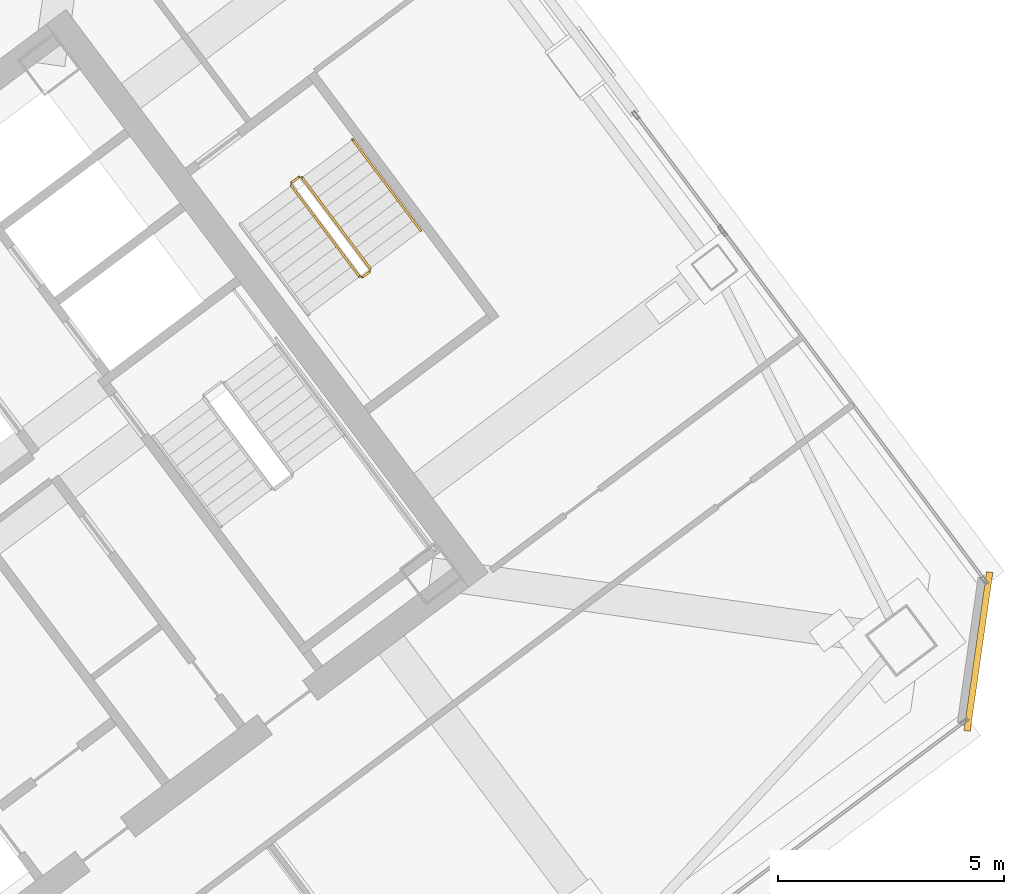
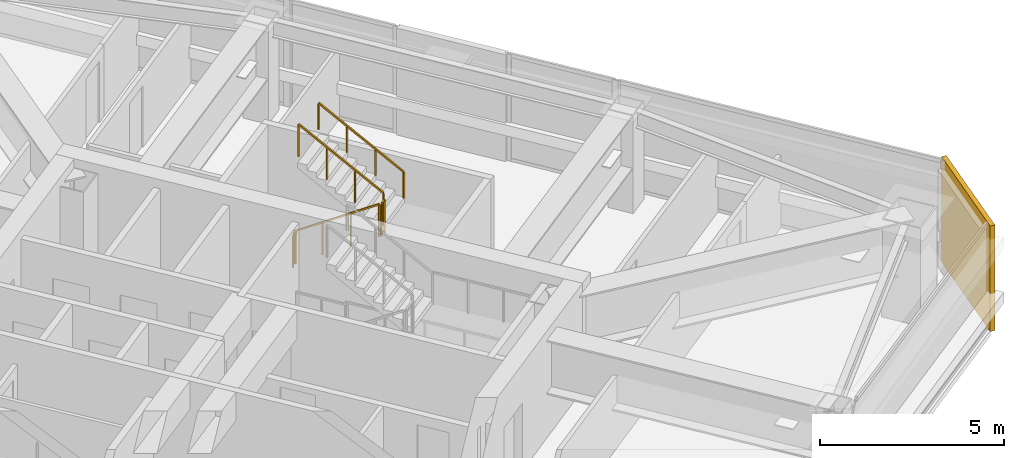
# One storey, part 41 of 42: 5 railings, 1 covering.
"""IFC4 building model written with IfcOpenShell, lengths in metres."""

from ifc_helpers import new_model, si_unit, direction, frame, origin, origin_2d, place, context, subcontext, project, spatial, rectangle, extrude, material, layer, layer_set, type_object, element, save


model = new_model("IFC4")

# Units and contexts
model_context = context("Model", 3, precision=1e-05, world=origin(), true_north=direction((0.0, 1.0)))
body_context = subcontext(model_context, "Body", "Model", "MODEL_VIEW")
ifc_project = project(units=[si_unit("LENGTHUNIT", "METRE"), si_unit("AREAUNIT", "SQUARE_METRE"), si_unit("VOLUMEUNIT", "CUBIC_METRE"), si_unit("PLANEANGLEUNIT", "RADIAN"), si_unit("MASSUNIT", "GRAM", prefix="KILO")], contexts=[model_context])

# Site, building, storey
site_placement = place(None, origin())
site = spatial("IfcSite", under=ifc_project, at=site_placement, CompositionType="ELEMENT")
building_placement = place(site_placement, origin())
building = spatial("IfcBuilding", under=site, at=building_placement, Name="Tashvorn Skyway Center", CompositionType="ELEMENT")
storey_placement = place(building_placement, frame((0.0, 0.0, 196.050048828125)))
storey = spatial("IfcBuildingStorey", under=building, at=storey_placement, Name="L53", CompositionType="ELEMENT", Elevation=196.050048828125)

# Covering
ifc_material_1 = material(Name="Precast concrete C40/50", Category="concrete")
ifc_layer = layer(ifc_material_1, 0.35009765625)
ifc_layer_set = layer_set([ifc_layer], Name="Precast concrete C40/50")
covering_type = type_object("IfcCoveringType", Name="COV-STONE-TRIM", PredefinedType="CLADDING", material=ifc_layer_set)
covering_placement = place(storey_placement, frame((136.008056640625, 28.85595703125, 0.02001953125), z_axis=(0.0, 0.0, 1.0), x_axis=(0.141421350118, 0.989949494535, 0.0)))
element("IfcCovering", 1, at=covering_placement, inside=storey, type_object=covering_type, Name="Tower 2 L53 SE Mojave Limestone Corner Quoin", PredefinedType="CLADDING", context=body_context, shape_type="SweptSolid", body=[
    extrude(rectangle(XDim=3.55419921875, YDim=0.139892578125, at=origin_2d()), origin(), (0.0, 0.0, 1.0), 3.510009765625),
])

# Railings
ifc_material_2 = material(Name="Brushed stainless steel 316", Category="steel")
railing_type_1 = type_object("IfcRailingType", Name="RAIL-HAND-920", PredefinedType="HANDRAIL", material=ifc_material_2)
railing_1_placement = place(storey_placement, frame((123.64794921875, 38.18603515625, 1.952392578125)))
element("IfcRailing", 2, at=railing_1_placement, inside=storey, type_object=railing_type_1, Name="L53 ST-T2-3 stair handrail 2", PredefinedType="HANDRAIL", context=body_context, shape_type="SweptSolid", body=[
    extrude(rectangle(XDim=0.048095703125, YDim=0.048095703125, at=origin_2d()), frame((0.0, 0.0, 0.8759765625), z_axis=(-0.50674661542, 0.675634878657, 0.535467439255), x_axis=(-0.79998837352, -0.60001550166, 0.0)), (0.0, 0.0, 1.0), 2.983642578125),
    extrude(rectangle(XDim=0.0419921875, YDim=0.0419921875, at=origin_2d()), origin(), (0.0, 0.0, 1.0), 0.851806640625),
    extrude(rectangle(XDim=0.0419921875, YDim=0.0419921875, at=origin_2d()), frame((-0.50390625, 0.671875, 0.532470703125)), (0.0, 0.0, 1.0), 0.851806640625),
    extrude(rectangle(XDim=0.0419921875, YDim=0.0419921875, at=origin_2d()), frame((-1.008056640625, 1.343994140625, 1.065185546875)), (0.0, 0.0, 1.0), 0.851806640625),
    extrude(rectangle(XDim=0.0419921875, YDim=0.0419921875, at=origin_2d()), frame((-1.511962890625, 2.015869140625, 1.59765625)), (0.0, 0.0, 1.0), 0.851806640625),
])
ifc_material_3 = material(Name="Painted galvanized steel S355", Category="steel")
railing_type_2 = type_object("IfcRailingType", Name="RAIL-STGUARD-1100", PredefinedType="GUARDRAIL", material=ifc_material_3)
railing_2_placement = place(storey_placement, frame((120.77587890625, 39.181884765625, 0.177490234375)))
element("IfcRailing", 3, at=railing_2_placement, inside=storey, type_object=railing_type_2, Name="L53 ST-T2-3 stair guard 1", PredefinedType="GUARDRAIL", context=body_context, shape_type="SweptSolid", body=[
    extrude(rectangle(XDim=0.048095703125, YDim=0.048095703125, at=origin_2d()), frame((0.0, 0.0, 1.076171875), z_axis=(0.506829628838, -0.67563646195, 0.535386868177), x_axis=(0.799941867976, 0.600077501544, 0.0)), (0.0, 0.0, 1.0), 2.983642578125),
    extrude(rectangle(XDim=0.0419921875, YDim=0.0419921875, at=origin_2d()), origin(), (0.0, 0.0, 1.0), 1.052001953125),
    extrude(rectangle(XDim=0.0419921875, YDim=0.0419921875, at=origin_2d()), frame((0.504150390625, -0.671875, 0.532470703125)), (0.0, 0.0, 1.0), 1.052001953125),
    extrude(rectangle(XDim=0.0419921875, YDim=0.0419921875, at=origin_2d()), frame((1.008056640625, -1.343994140625, 1.06494140625)), (0.0, 0.0, 1.0), 1.052001953125),
    extrude(rectangle(XDim=0.0419921875, YDim=0.0419921875, at=origin_2d()), frame((1.51220703125, -2.015869140625, 1.597412109375)), (0.0, 0.0, 1.0), 1.052001953125),
])
railing_3_placement = place(storey_placement, frame((122.35791015625, 37.156005859375, 1.77490234375)))
element("IfcRailing", 4, at=railing_3_placement, inside=storey, type_object=railing_type_2, Name="L53 ST-T2-3 stair guard 2", PredefinedType="GUARDRAIL", context=body_context, shape_type="SweptSolid", body=[
    extrude(rectangle(XDim=0.048095703125, YDim=0.048095703125, at=origin_2d()), frame((0.0, 0.0, 1.076171875), z_axis=(0.800585412921, 0.599218655098, 0.0), x_axis=(-0.599218655098, 0.800585412921, 0.0)), (0.0, 0.0, 1.0), 0.199951171875),
    extrude(rectangle(XDim=0.0419921875, YDim=0.0419921875, at=origin_2d()), origin(), (0.0, 0.0, 1.0), 1.052001953125),
    extrude(rectangle(XDim=0.0419921875, YDim=0.0419921875, at=origin_2d()), frame((0.16015625, 0.119873046875, 0.0)), (0.0, 0.0, 1.0), 1.052001953125),
])
railing_4_placement = place(storey_placement, frame((122.528076171875, 37.345947265625, 1.952392578125)))
element("IfcRailing", 5, at=railing_4_placement, inside=storey, type_object=railing_type_2, Name="L53 ST-T2-3 stair guard 3", PredefinedType="GUARDRAIL", context=body_context, shape_type="SweptSolid", body=[
    extrude(rectangle(XDim=0.048095703125, YDim=0.048095703125, at=origin_2d()), frame((0.0, 0.0, 1.076171875), z_axis=(-0.506718600913, 0.675679348675, 0.535437836974), x_axis=(-0.800023250257, -0.599968998406, 0.0)), (0.0, 0.0, 1.0), 2.98388671875),
    extrude(rectangle(XDim=0.0419921875, YDim=0.0419921875, at=origin_2d()), origin(), (0.0, 0.0, 1.0), 1.052001953125),
    extrude(rectangle(XDim=0.0419921875, YDim=0.0419921875, at=origin_2d()), frame((-0.50390625, 0.672119140625, 0.532470703125)), (0.0, 0.0, 1.0), 1.052001953125),
    extrude(rectangle(XDim=0.0419921875, YDim=0.0419921875, at=origin_2d()), frame((-1.008056640625, 1.343994140625, 1.065185546875)), (0.0, 0.0, 1.0), 1.052001953125),
    extrude(rectangle(XDim=0.0419921875, YDim=0.0419921875, at=origin_2d()), frame((-1.511962890625, 2.01611328125, 1.59765625)), (0.0, 0.0, 1.0), 1.052001953125),
])
railing_5_placement = place(storey_placement, frame((120.785888671875, 39.251953125, 0.0)))
element("IfcRailing", 6, at=railing_5_placement, inside=storey, type_object=railing_type_2, Name="L53 ST-T2-3 stair guard 4", PredefinedType="GUARDRAIL", context=body_context, shape_type="SweptSolid", body=[
    extrude(rectangle(XDim=0.048095703125, YDim=0.048095703125, at=origin_2d()), frame((0.0, 0.0, 1.076171875), z_axis=(0.8, 0.6, 0.0), x_axis=(-0.6, 0.8, 0.0)), (0.0, 0.0, 1.0), 0.2001953125),
    extrude(rectangle(XDim=0.0419921875, YDim=0.0419921875, at=origin_2d()), origin(), (0.0, 0.0, 1.0), 1.052001953125),
    extrude(rectangle(XDim=0.0419921875, YDim=0.0419921875, at=origin_2d()), frame((0.16015625, 0.1201171875, 0.0)), (0.0, 0.0, 1.0), 1.052001953125),
])

save(model, "model.ifc")
